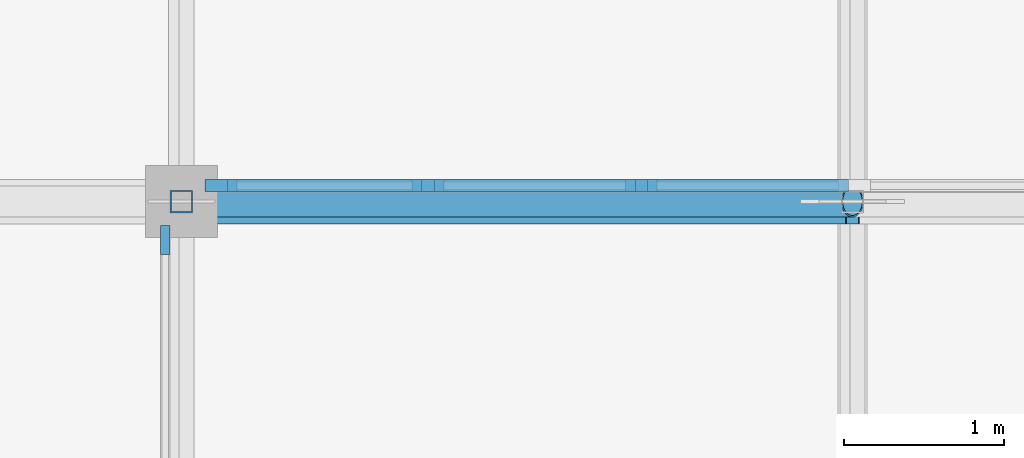
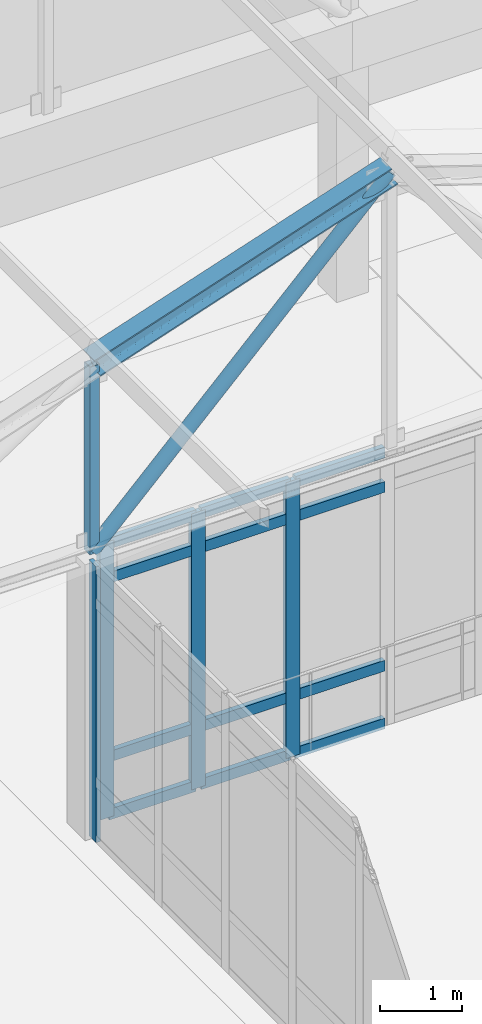
# One storey, part 78 of 192: 19 members, 2 elements without a shape of their own.
"""IFC4 building model written with IfcOpenShell, lengths in metres."""

from ifc_helpers import new_model, si_unit, direction, frame, origin, origin_2d, place, context, subcontext, project, spatial, rectangle, hollow_rectangle, hollow_circle, i_section, extrude, material, layer, layer_set, material_profile, profile_set, type_object, element, aggregate, save


model = new_model("IFC4")

# Units and contexts
model_context = context("Model", 3, precision=1e-05, world=origin(), true_north=direction((0.0, 1.0)))
body_context = subcontext(model_context, "Body", "Model", "MODEL_VIEW")
ifc_project = project(units=[si_unit("LENGTHUNIT", "METRE"), si_unit("AREAUNIT", "SQUARE_METRE"), si_unit("VOLUMEUNIT", "CUBIC_METRE"), si_unit("PLANEANGLEUNIT", "RADIAN"), si_unit("MASSUNIT", "GRAM", prefix="KILO")], contexts=[model_context])

# Site, building, storey
site_placement = place(None, origin())
site = spatial("IfcSite", under=ifc_project, at=site_placement, CompositionType="ELEMENT")
building_placement = place(site_placement, origin())
building = spatial("IfcBuilding", under=site, at=building_placement, Name="Kveldsbrygga Polytechnic", CompositionType="ELEMENT")
storey_placement = place(building_placement, frame((0.0, 0.0, 5.43994140625)))
storey = spatial("IfcBuildingStorey", under=building, at=storey_placement, Name="L01", CompositionType="ELEMENT", Elevation=5.43994140625)

# Curtain wall, member
ifc_material_1 = material(Name="Anodised aluminium AW-6060", Category="aluminium")
ifc_layer_1 = layer(ifc_material_1, 0.199951171875)
ifc_layer_set_1 = layer_set([ifc_layer_1], Name="Anodised aluminium AW-6060")
curtain_wall_type_1 = type_object("IfcCurtainWallType", Name="CW-CONC-B", PredefinedType="USERDEFINED", material=ifc_layer_set_1)
curtain_wall_1_placement = place(storey_placement, origin())
curtain_wall_1 = element("IfcCurtainWall", 1, at=curtain_wall_1_placement, inside=storey, type_object=curtain_wall_type_1, Name="Curtain Wall CW-L01-Y-07-08", ObjectType="UNITISED CURTAIN WALL", PredefinedType="USERDEFINED")
ifc_material_profile_1 = material_profile(ifc_material_1, rectangle(XDim=0.06005859375, YDim=0.179931640625, at=origin_2d()), Name="ALU 60x180")
ifc_profile_set_1 = profile_set([ifc_material_profile_1], Name="Anodised aluminium AW-6060")
member_type_1 = type_object("IfcMemberType", Name="CW-MUL-180", PredefinedType="MULLION", material=ifc_profile_set_1)
member_1_placement = place(storey_placement, frame((58.699951171875, 75.360107421875, 0.0), z_axis=(0.0, 0.0, 1.0), x_axis=(-1.0, 0.0, 0.0)))
member_1 = element("IfcMember", 2, at=member_1_placement, type_object=member_type_1, Name="CW-02 mullion 6", PredefinedType="MULLION", context=body_context, shape_type="SweptSolid", body=[
    extrude(rectangle(XDim=0.06005859375, YDim=0.179931640625, at=origin_2d()), origin(), (0.0, 0.0, 1.0), 4.1201171875),
])
aggregate(curtain_wall_1, [member_1])

# Curtain wall, members
ifc_layer_2 = layer(ifc_material_1, 0.159912109375)
ifc_layer_set_2 = layer_set([ifc_layer_2], Name="Anodised aluminium AW-6060")
curtain_wall_type_2 = type_object("IfcCurtainWallType", Name="CW-CLER-C", PredefinedType="USERDEFINED", material=ifc_layer_set_2)
curtain_wall_2_placement = place(storey_placement, origin())
curtain_wall_2 = element("IfcCurtainWall", 3, at=curtain_wall_2_placement, inside=storey, type_object=curtain_wall_type_2, Name="Curtain Wall CW-L01-X-07-09", ObjectType="STICK CURTAIN WALL", PredefinedType="USERDEFINED")
ifc_material_profile_2 = material_profile(ifc_material_1, rectangle(XDim=0.074951171875, YDim=0.199951171875, at=origin_2d()), Name="ALU 75x200")
ifc_profile_set_2 = profile_set([ifc_material_profile_2], Name="Anodised aluminium AW-6060")
member_type_2 = type_object("IfcMemberType", Name="CW-MUL-200", PredefinedType="MULLION", material=ifc_profile_set_2)
member_2_placement = place(storey_placement, frame((59.047607421875, 75.699951171875, 0.0), z_axis=(0.0, 0.0, 1.0), x_axis=(0.0, 1.0, 0.0)))
member_2 = element("IfcMember", 4, at=member_2_placement, type_object=member_type_2, Name="CW-03 mullion 1", PredefinedType="MULLION", context=body_context, shape_type="SweptSolid", body=[
    extrude(rectangle(XDim=0.074951171875, YDim=0.199951171875, at=origin_2d()), origin(), (0.0, 0.0, 1.0), 4.1201171875),
])
member_3_placement = place(storey_placement, frame((60.34423828125, 75.699951171875, 0.0), z_axis=(0.0, 0.0, 1.0), x_axis=(0.0, 1.0, 0.0)))
member_3 = element("IfcMember", 5, at=member_3_placement, type_object=member_type_2, Name="CW-03 mullion 2", PredefinedType="MULLION", context=body_context, shape_type="SweptSolid", body=[
    extrude(rectangle(XDim=0.074951171875, YDim=0.199951171875, at=origin_2d()), origin(), (0.0, 0.0, 1.0), 4.1201171875),
])
member_4_placement = place(storey_placement, frame((61.67822265625, 75.699951171875, 0.0), z_axis=(0.0, 0.0, 1.0), x_axis=(0.0, 1.0, 0.0)))
member_4 = element("IfcMember", 6, at=member_4_placement, type_object=member_type_2, Name="CW-03 mullion 3", PredefinedType="MULLION", context=body_context, shape_type="SweptSolid", body=[
    extrude(rectangle(XDim=0.074951171875, YDim=0.199951171875, at=origin_2d()), origin(), (0.0, 0.0, 1.0), 4.1201171875),
])
ifc_material_profile_3 = material_profile(ifc_material_1, rectangle(XDim=0.074951171875, YDim=0.159912109375, at=origin_2d()), Name="ALU 75x160")
ifc_profile_set_3 = profile_set([ifc_material_profile_3], Name="Anodised aluminium AW-6060")
member_type_3 = type_object("IfcMemberType", Name="CW-TRN-160", PredefinedType="USERDEFINED", material=ifc_profile_set_3)
member_5_placement = place(storey_placement, frame((59.0849609375, 75.699951171875, 0.03759765625), z_axis=(1.0, 0.0, 0.0), x_axis=(0.0, 1.0, 0.0)))
member_5 = element("IfcMember", 7, at=member_5_placement, type_object=member_type_3, Name="CW-03 transom 1.1", ObjectType="TRANSOM", PredefinedType="USERDEFINED", context=body_context, shape_type="SweptSolid", body=[
    extrude(rectangle(XDim=0.074951171875, YDim=0.159912109375, at=origin_2d()), origin(), (0.0, 0.0, 1.0), 1.2216796875),
])
member_6_placement = place(storey_placement, frame((59.0849609375, 75.699951171875, 0.900146484375), z_axis=(1.0, 0.0, 0.0), x_axis=(0.0, 1.0, 0.0)))
member_6 = element("IfcMember", 8, at=member_6_placement, type_object=member_type_3, Name="CW-03 transom 1.2", ObjectType="TRANSOM", PredefinedType="USERDEFINED", context=body_context, shape_type="SweptSolid", body=[
    extrude(rectangle(XDim=0.074951171875, YDim=0.159912109375, at=origin_2d()), origin(), (0.0, 0.0, 1.0), 1.2216796875),
])
member_7_placement = place(storey_placement, frame((59.0849609375, 75.699951171875, 3.570068359375), z_axis=(1.0, 0.0, 0.0), x_axis=(0.0, 1.0, 0.0)))
member_7 = element("IfcMember", 9, at=member_7_placement, type_object=member_type_3, Name="CW-03 transom 1.3", ObjectType="TRANSOM", PredefinedType="USERDEFINED", context=body_context, shape_type="SweptSolid", body=[
    extrude(rectangle(XDim=0.074951171875, YDim=0.159912109375, at=origin_2d()), origin(), (0.0, 0.0, 1.0), 1.2216796875),
])
member_8_placement = place(storey_placement, frame((59.0849609375, 75.699951171875, 4.08251953125), z_axis=(1.0, 0.0, 0.0), x_axis=(0.0, 1.0, 0.0)))
member_8 = element("IfcMember", 10, at=member_8_placement, type_object=member_type_3, Name="CW-03 transom 1.4", ObjectType="TRANSOM", PredefinedType="USERDEFINED", context=body_context, shape_type="SweptSolid", body=[
    extrude(rectangle(XDim=0.074951171875, YDim=0.159912109375, at=origin_2d()), origin(), (0.0, 0.0, 1.0), 1.2216796875),
])
member_9_placement = place(storey_placement, frame((60.381591796875, 75.699951171875, 0.03759765625), z_axis=(1.0, 0.0, 0.0), x_axis=(0.0, 1.0, 0.0)))
member_9 = element("IfcMember", 11, at=member_9_placement, type_object=member_type_3, Name="CW-03 transom 2.1", ObjectType="TRANSOM", PredefinedType="USERDEFINED", context=body_context, shape_type="SweptSolid", body=[
    extrude(rectangle(XDim=0.074951171875, YDim=0.159912109375, at=origin_2d()), origin(), (0.0, 0.0, 1.0), 1.25927734375),
])
member_10_placement = place(storey_placement, frame((60.381591796875, 75.699951171875, 0.900146484375), z_axis=(1.0, 0.0, 0.0), x_axis=(0.0, 1.0, 0.0)))
member_10 = element("IfcMember", 12, at=member_10_placement, type_object=member_type_3, Name="CW-03 transom 2.2", ObjectType="TRANSOM", PredefinedType="USERDEFINED", context=body_context, shape_type="SweptSolid", body=[
    extrude(rectangle(XDim=0.074951171875, YDim=0.159912109375, at=origin_2d()), origin(), (0.0, 0.0, 1.0), 1.25927734375),
])
member_11_placement = place(storey_placement, frame((60.381591796875, 75.699951171875, 3.570068359375), z_axis=(1.0, 0.0, 0.0), x_axis=(0.0, 1.0, 0.0)))
member_11 = element("IfcMember", 13, at=member_11_placement, type_object=member_type_3, Name="CW-03 transom 2.3", ObjectType="TRANSOM", PredefinedType="USERDEFINED", context=body_context, shape_type="SweptSolid", body=[
    extrude(rectangle(XDim=0.074951171875, YDim=0.159912109375, at=origin_2d()), origin(), (0.0, 0.0, 1.0), 1.25927734375),
])
member_12_placement = place(storey_placement, frame((60.381591796875, 75.699951171875, 4.08251953125), z_axis=(1.0, 0.0, 0.0), x_axis=(0.0, 1.0, 0.0)))
member_12 = element("IfcMember", 14, at=member_12_placement, type_object=member_type_3, Name="CW-03 transom 2.4", ObjectType="TRANSOM", PredefinedType="USERDEFINED", context=body_context, shape_type="SweptSolid", body=[
    extrude(rectangle(XDim=0.074951171875, YDim=0.159912109375, at=origin_2d()), origin(), (0.0, 0.0, 1.0), 1.25927734375),
])
member_13_placement = place(storey_placement, frame((61.7158203125, 75.699951171875, 0.03759765625), z_axis=(1.0, 0.0, 0.0), x_axis=(0.0, 1.0, 0.0)))
member_13 = element("IfcMember", 15, at=member_13_placement, type_object=member_type_3, Name="CW-03 transom 3.1", ObjectType="TRANSOM", PredefinedType="USERDEFINED", context=body_context, shape_type="SweptSolid", body=[
    extrude(rectangle(XDim=0.074951171875, YDim=0.159912109375, at=origin_2d()), origin(), (0.0, 0.0, 1.0), 1.25927734375),
])
member_14_placement = place(storey_placement, frame((61.7158203125, 75.699951171875, 0.900146484375), z_axis=(1.0, 0.0, 0.0), x_axis=(0.0, 1.0, 0.0)))
member_14 = element("IfcMember", 16, at=member_14_placement, type_object=member_type_3, Name="CW-03 transom 3.2", ObjectType="TRANSOM", PredefinedType="USERDEFINED", context=body_context, shape_type="SweptSolid", body=[
    extrude(rectangle(XDim=0.074951171875, YDim=0.159912109375, at=origin_2d()), origin(), (0.0, 0.0, 1.0), 1.25927734375),
])
member_15_placement = place(storey_placement, frame((61.7158203125, 75.699951171875, 3.570068359375), z_axis=(1.0, 0.0, 0.0), x_axis=(0.0, 1.0, 0.0)))
member_15 = element("IfcMember", 17, at=member_15_placement, type_object=member_type_3, Name="CW-03 transom 3.3", ObjectType="TRANSOM", PredefinedType="USERDEFINED", context=body_context, shape_type="SweptSolid", body=[
    extrude(rectangle(XDim=0.074951171875, YDim=0.159912109375, at=origin_2d()), origin(), (0.0, 0.0, 1.0), 1.25927734375),
])
member_16_placement = place(storey_placement, frame((61.7158203125, 75.699951171875, 4.08251953125), z_axis=(1.0, 0.0, 0.0), x_axis=(0.0, 1.0, 0.0)))
member_16 = element("IfcMember", 18, at=member_16_placement, type_object=member_type_3, Name="CW-03 transom 3.4", ObjectType="TRANSOM", PredefinedType="USERDEFINED", context=body_context, shape_type="SweptSolid", body=[
    extrude(rectangle(XDim=0.074951171875, YDim=0.159912109375, at=origin_2d()), origin(), (0.0, 0.0, 1.0), 1.25927734375),
])
aggregate(curtain_wall_2, [member_2, member_3, member_4, member_5, member_6, member_7, member_8, member_9, member_10, member_11, member_12, member_13, member_14, member_15, member_16])

# Members
ifc_material_2 = material(Name="Steel S355", Category="steel")
ifc_material_profile_4 = material_profile(ifc_material_2, hollow_circle(Radius=0.096923828125, WallThickness=0.010009765625, at=origin_2d()), Name="CHS 193.7x10.0")
ifc_profile_set_4 = profile_set([ifc_material_profile_4], Name="Steel S355")
member_type_4 = type_object("IfcMemberType", Name="TR-DIAG-CHS194", PredefinedType="BRACE", material=ifc_profile_set_4)
member_17_placement = place(storey_placement, frame((58.800048828125, 75.60009765625, 4.1201171875), z_axis=(0.707106781187, 0.0, 0.707106781187), x_axis=(0.0, 1.0, 0.0)))
element("IfcMember", 19, at=member_17_placement, inside=storey, type_object=member_type_4, Name="Truss Diagonal V5C-T09-DG-3", PredefinedType="BRACE", context=body_context, shape_type="SweptSolid", body=[
    extrude(hollow_circle(Radius=0.096923828125, WallThickness=0.010009765625, at=origin_2d()), origin(), (0.0, 0.0, 1.0), 5.939697265625),
])
ifc_material_profile_5 = material_profile(ifc_material_2, hollow_rectangle(XDim=0.139892578125, YDim=0.139892578125, WallThickness=0.008056640625, at=origin_2d()), Name="SHS 140x140x8.0")
ifc_profile_set_5 = profile_set([ifc_material_profile_5], Name="Steel S355")
member_type_5 = type_object("IfcMemberType", Name="TR-POST-SHS140", PredefinedType="STRUT", material=ifc_profile_set_5)
member_18_placement = place(storey_placement, frame((58.800048828125, 75.60009765625, 4.1201171875), z_axis=(0.0, 0.0, 1.0), x_axis=(1.0, 0.0, 0.0)))
element("IfcMember", 20, at=member_18_placement, inside=storey, type_object=member_type_5, Name="Truss Vertical V5C-T09-VT-2", PredefinedType="STRUT", context=body_context, shape_type="SweptSolid", body=[
    extrude(hollow_rectangle(XDim=0.139892578125, YDim=0.139892578125, WallThickness=0.008056640625, at=origin_2d()), origin(), (0.0, 0.0, 1.0), 2.800048828125),
])
ifc_material_profile_6 = material_profile(ifc_material_2, i_section(OverallWidth=0.280029296875, OverallDepth=0.280029296875, WebThickness=0.010498046875, FlangeThickness=0.01806640625, FilletRadius=0.02392578125, at=origin_2d()), Name="HEB 280")
ifc_profile_set_6 = profile_set([ifc_material_profile_6], Name="Steel S355")
member_type_6 = type_object("IfcMemberType", Name="TR-TOP-HEB280", PredefinedType="CHORD", material=ifc_profile_set_6)
member_19_placement = place(storey_placement, frame((58.800048828125, 75.60009765625, 6.920166015625), z_axis=(0.948688812577, 0.0, 0.316211221956), x_axis=(0.0, 1.0, 0.0)))
element("IfcMember", 21, at=member_19_placement, inside=storey, type_object=member_type_6, Name="Truss Top Chord V5C-T09-TC-3", PredefinedType="CHORD", context=body_context, shape_type="SweptSolid", body=[
    extrude(i_section(OverallWidth=0.280029296875, OverallDepth=0.280029296875, WebThickness=0.010498046875, FlangeThickness=0.01806640625, FilletRadius=0.02392578125, at=origin_2d()), origin(), (0.0, 0.0, 1.0), 4.427001953125),
])

save(model, "model.ifc")
